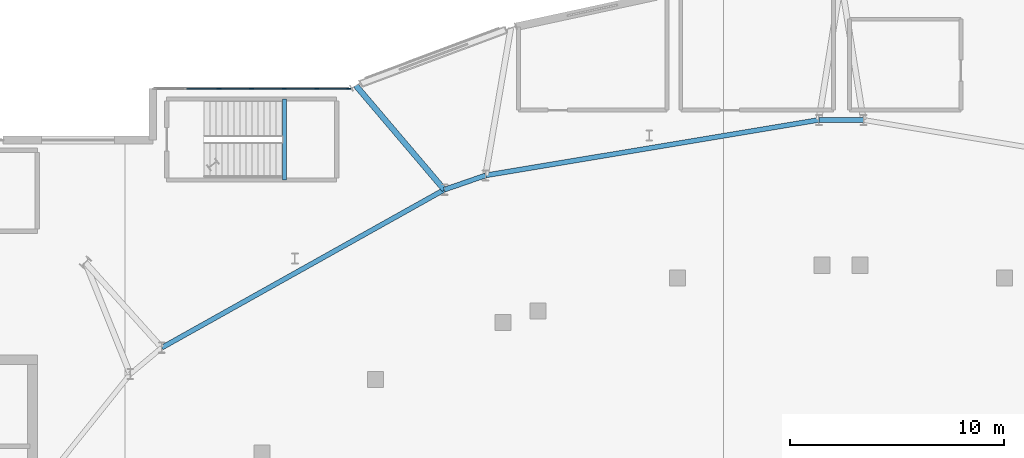
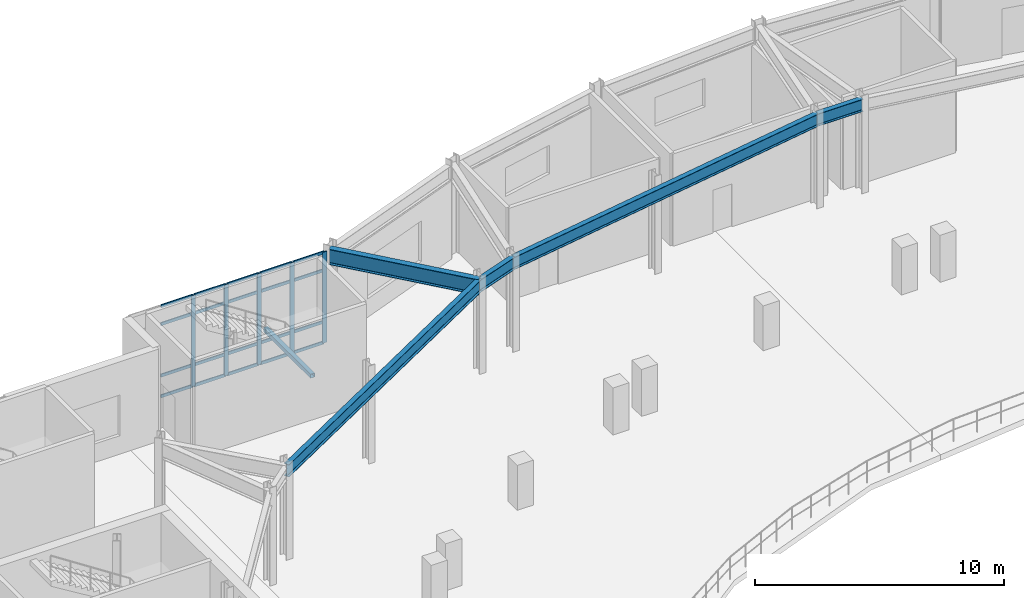
# One storey, part 43 of 84: 25 members, 6 beams, 1 element without a shape of its own.
"""IFC4 building model written with IfcOpenShell, lengths in metres."""

from ifc_helpers import new_model, si_unit, direction, frame, origin, origin_2d, place, context, subcontext, project, spatial, rectangle, hollow_rectangle, i_section, extrude, material, material_profile, profile_set, type_object, element, aggregate, save


model = new_model("IFC4")

# Units and contexts
model_context = context("Model", 3, precision=1e-05, world=origin(), true_north=direction((0.0, 1.0)))
body_context = subcontext(model_context, "Body", "Model", "MODEL_VIEW")
ifc_project = project(units=[si_unit("LENGTHUNIT", "METRE"), si_unit("AREAUNIT", "SQUARE_METRE"), si_unit("VOLUMEUNIT", "CUBIC_METRE"), si_unit("PLANEANGLEUNIT", "RADIAN"), si_unit("MASSUNIT", "GRAM", prefix="KILO")], contexts=[model_context])

# Site, building, storey
site_placement = place(None, origin())
site = spatial("IfcSite", under=ifc_project, at=site_placement, CompositionType="ELEMENT")
building_placement = place(site_placement, origin())
building = spatial("IfcBuilding", under=site, at=building_placement, Name="Glasvene Arena", CompositionType="ELEMENT")
storey_placement = place(building_placement, frame((0.0, 0.0, 10.199951171875)))
storey = spatial("IfcBuildingStorey", under=building, at=storey_placement, Name="L02", CompositionType="ELEMENT", Elevation=10.199951171875)

# Beams
ifc_material_1 = material(Name="Steel S355J2", Category="steel")
ifc_material_profile_1 = material_profile(ifc_material_1, i_section(OverallWidth=0.228271484375, OverallDepth=0.607666015625, WebThickness=0.010986328125, FlangeThickness=0.017333984375, FilletRadius=0.0126953125, at=origin_2d()), Name="UKB 610x229x113")
ifc_profile_set_1 = profile_set([ifc_material_profile_1], Name="Steel S355J2")
beam_type_1 = type_object("IfcBeamType", Name="BM-GIRD-610", PredefinedType="BEAM", material=ifc_profile_set_1)
beam_1_placement = place(storey_placement, frame((93.043701171875, 111.489990234375, 4.215087890625), z_axis=(-1.0, 0.0, 0.0), x_axis=(0.0, -1.0, 0.0)))
element("IfcBeam", 1, at=beam_1_placement, inside=storey, type_object=beam_type_1, Name="Concourse inner ring girder L02-08", PredefinedType="BEAM", context=body_context, shape_type="SweptSolid", body=[
    extrude(i_section(OverallWidth=0.228271484375, OverallDepth=0.607666015625, WebThickness=0.010986328125, FlangeThickness=0.017333984375, FilletRadius=0.0126953125, at=origin_2d()), origin(), (0.0, 0.0, 1.0), 2.08740234375),
])
beam_2_placement = place(storey_placement, frame((90.956298828125, 111.489990234375, 4.215087890625), z_axis=(-0.986425216298, -0.164211122194, 0.0), x_axis=(0.164211122194, -0.986425216298, 0.0)))
element("IfcBeam", 2, at=beam_2_placement, inside=storey, type_object=beam_type_1, Name="Concourse inner ring girder L02-09", PredefinedType="BEAM", context=body_context, shape_type="SweptSolid", body=[
    extrude(i_section(OverallWidth=0.228271484375, OverallDepth=0.607666015625, WebThickness=0.010986328125, FlangeThickness=0.017333984375, FilletRadius=0.0126953125, at=origin_2d()), origin(), (0.0, 0.0, 1.0), 15.8056640625),
])
beam_3_placement = place(storey_placement, frame((75.365234375, 108.89453125, 4.215087890625), z_axis=(-0.944798184006, -0.327652852114, 0.0), x_axis=(0.327652852114, -0.944798184006, 0.0)))
element("IfcBeam", 3, at=beam_3_placement, inside=storey, type_object=beam_type_1, Name="Concourse inner ring girder L02-10", PredefinedType="BEAM", context=body_context, shape_type="SweptSolid", body=[
    extrude(i_section(OverallWidth=0.228271484375, OverallDepth=0.607666015625, WebThickness=0.010986328125, FlangeThickness=0.017333984375, FilletRadius=0.0126953125, at=origin_2d()), origin(), (0.0, 0.0, 1.0), 2.040771484375),
])
beam_4_placement = place(storey_placement, frame((73.43701171875, 108.225830078125, 4.215087890625), z_axis=(-0.87279341778, -0.488089796943, 0.0), x_axis=(0.488089796943, -0.87279341778, 0.0)))
element("IfcBeam", 4, at=beam_4_placement, inside=storey, type_object=beam_type_1, Name="Concourse inner ring girder L02-11", PredefinedType="BEAM", context=body_context, shape_type="SweptSolid", body=[
    extrude(i_section(OverallWidth=0.228271484375, OverallDepth=0.607666015625, WebThickness=0.010986328125, FlangeThickness=0.017333984375, FilletRadius=0.0126953125, at=origin_2d()), origin(), (0.0, 0.0, 1.0), 15.14404296875),
])
ifc_material_profile_2 = material_profile(ifc_material_1, i_section(OverallWidth=0.2666015625, OverallDepth=0.76220703125, WebThickness=0.014404296875, FlangeThickness=0.021484375, FilletRadius=0.0166015625, at=origin_2d()), Name="UKB 762x267x173")
ifc_profile_set_2 = profile_set([ifc_material_profile_2], Name="Steel S355J2")
beam_type_2 = type_object("IfcBeamType", Name="BM-GIRD-762", PredefinedType="BEAM", material=ifc_profile_set_2)
beam_5_placement = place(storey_placement, frame((73.43701171875, 108.225830078125, 4.138916015625), z_axis=(-0.647421006623, 0.762132560768, 0.0), x_axis=(-0.762132560768, -0.647421006623, 0.0)))
element("IfcBeam", 5, at=beam_5_placement, inside=storey, type_object=beam_type_2, Name="Radial concourse girder L02-11", PredefinedType="BEAM", context=body_context, shape_type="SweptSolid", body=[
    extrude(i_section(OverallWidth=0.2666015625, OverallDepth=0.76220703125, WebThickness=0.014404296875, FlangeThickness=0.021484375, FilletRadius=0.0166015625, at=origin_2d()), origin(), (0.0, 0.0, 1.0), 6.38916015625),
])
ifc_material_profile_3 = material_profile(ifc_material_1, hollow_rectangle(XDim=0.199951171875, YDim=0.199951171875, WallThickness=0.010009765625, at=origin_2d()), Name="SHS 200x200x10.0")
ifc_profile_set_3 = profile_set([ifc_material_profile_3], Name="Steel S355J2")
beam_type_3 = type_object("IfcBeamType", Name="BM-LINTEL-200", PredefinedType="LINTEL", material=ifc_profile_set_3)
beam_6_placement = place(storey_placement, frame((65.9599609375, 108.679931640625, 2.080078125), z_axis=(0.0, 1.0, 0.0), x_axis=(-1.0, 0.0, 0.0)))
element("IfcBeam", 6, at=beam_6_placement, inside=storey, type_object=beam_type_3, Name="Stair half-landing support beam ST-10-L02", PredefinedType="LINTEL", context=body_context, shape_type="SweptSolid", body=[
    extrude(hollow_rectangle(XDim=0.199951171875, YDim=0.199951171875, WallThickness=0.010009765625, at=origin_2d()), origin(), (0.0, 0.0, 1.0), 3.7900390625),
])

# Curtain wall, members
ifc_material_2 = material(Name="Low-emissivity laminated double glazing", Category="glass")
curtain_wall_type = type_object("IfcCurtainWallType", Name="CW-FAC-L02-916x446", PredefinedType="USERDEFINED", material=ifc_material_2)
curtain_wall_placement = place(storey_placement, frame((59.840087890625, 112.949951171875, 0.0)))
curtain_wall = element("IfcCurtainWall", 7, at=curtain_wall_placement, inside=storey, type_object=curtain_wall_type, Name="Unitised curtain wall CW-F-L02-180-644-1130-19", ObjectType="CURTAIN WALL", PredefinedType="USERDEFINED")
ifc_material_3 = material(Name="Anodised architectural aluminium", Category="aluminium")
ifc_material_profile_4 = material_profile(ifc_material_3, rectangle(XDim=0.050048828125, YDim=0.199951171875, at=origin_2d()), Name="ALU MULLION 50x200")
ifc_profile_set_4 = profile_set([ifc_material_profile_4], Name="Anodised architectural aluminium")
member_type_1 = type_object("IfcMemberType", Name="CW-MUL-180", PredefinedType="MULLION", material=ifc_profile_set_4)
member_1_placement = place(storey_placement, frame((62.892333984375, 112.949951171875, 0.06005859375), z_axis=(0.0, 0.0, 1.0), x_axis=(0.0, 1.0, 0.0)))
member_1 = element("IfcMember", 8, at=member_1_placement, type_object=member_type_1, Name="CW-022 mullion 3", PredefinedType="MULLION", context=body_context, shape_type="SweptSolid", body=[
    extrude(rectangle(XDim=0.050048828125, YDim=0.199951171875, at=origin_2d()), origin(), (0.0, 0.0, 1.0), 4.4599609375),
])
member_2_placement = place(storey_placement, frame((64.41845703125, 112.949951171875, 0.06005859375), z_axis=(0.0, 0.0, 1.0), x_axis=(0.0, 1.0, 0.0)))
member_2 = element("IfcMember", 9, at=member_2_placement, type_object=member_type_1, Name="CW-022 mullion 4", PredefinedType="MULLION", context=body_context, shape_type="SweptSolid", body=[
    extrude(rectangle(XDim=0.050048828125, YDim=0.199951171875, at=origin_2d()), origin(), (0.0, 0.0, 1.0), 4.4599609375),
])
member_3_placement = place(storey_placement, frame((65.944580078125, 112.949951171875, 0.06005859375), z_axis=(0.0, 0.0, 1.0), x_axis=(0.0, 1.0, 0.0)))
member_3 = element("IfcMember", 10, at=member_3_placement, type_object=member_type_1, Name="CW-022 mullion 5", PredefinedType="MULLION", context=body_context, shape_type="SweptSolid", body=[
    extrude(rectangle(XDim=0.050048828125, YDim=0.199951171875, at=origin_2d()), origin(), (0.0, 0.0, 1.0), 4.4599609375),
])
member_4_placement = place(storey_placement, frame((67.470947265625, 112.949951171875, 0.06005859375), z_axis=(0.0, 0.0, 1.0), x_axis=(0.0, 1.0, 0.0)))
member_4 = element("IfcMember", 11, at=member_4_placement, type_object=member_type_1, Name="CW-022 mullion 6", PredefinedType="MULLION", context=body_context, shape_type="SweptSolid", body=[
    extrude(rectangle(XDim=0.050048828125, YDim=0.199951171875, at=origin_2d()), origin(), (0.0, 0.0, 1.0), 4.4599609375),
])
member_5_placement = place(storey_placement, frame((68.971923828125, 112.949951171875, 0.06005859375), z_axis=(0.0, 0.0, 1.0), x_axis=(0.0, 1.0, 0.0)))
member_5 = element("IfcMember", 12, at=member_5_placement, type_object=member_type_1, Name="CW-022 mullion 7", PredefinedType="MULLION", context=body_context, shape_type="SweptSolid", body=[
    extrude(rectangle(XDim=0.050048828125, YDim=0.199951171875, at=origin_2d()), origin(), (0.0, 0.0, 1.0), 4.4599609375),
])
ifc_material_profile_5 = material_profile(ifc_material_3, rectangle(XDim=0.050048828125, YDim=0.14990234375, at=origin_2d()), Name="ALU TRANSOM 50x150")
ifc_profile_set_5 = profile_set([ifc_material_profile_5], Name="Anodised architectural aluminium")
member_type_2 = type_object("IfcMemberType", Name="CW-TRN-150", PredefinedType="USERDEFINED", material=ifc_profile_set_5)
member_6_placement = place(storey_placement, frame((61.39111328125, 112.949951171875, 0.0849609375), z_axis=(1.0, 0.0, 0.0), x_axis=(0.0, 1.0, 0.0)))
member_6 = element("IfcMember", 13, at=member_6_placement, type_object=member_type_2, Name="CW-022 transom 2.1", ObjectType="TRANSOM", PredefinedType="USERDEFINED", context=body_context, shape_type="SweptSolid", body=[
    extrude(rectangle(XDim=0.050048828125, YDim=0.14990234375, at=origin_2d()), origin(), (0.0, 0.0, 1.0), 1.476318359375),
])
member_7_placement = place(storey_placement, frame((61.39111328125, 112.949951171875, 1.10009765625), z_axis=(1.0, 0.0, 0.0), x_axis=(0.0, 1.0, 0.0)))
member_7 = element("IfcMember", 14, at=member_7_placement, type_object=member_type_2, Name="CW-022 transom 2.2", ObjectType="TRANSOM", PredefinedType="USERDEFINED", context=body_context, shape_type="SweptSolid", body=[
    extrude(rectangle(XDim=0.050048828125, YDim=0.14990234375, at=origin_2d()), origin(), (0.0, 0.0, 1.0), 1.476318359375),
])
member_8_placement = place(storey_placement, frame((61.39111328125, 112.949951171875, 3.6201171875), z_axis=(1.0, 0.0, 0.0), x_axis=(0.0, 1.0, 0.0)))
member_8 = element("IfcMember", 15, at=member_8_placement, type_object=member_type_2, Name="CW-022 transom 2.3", ObjectType="TRANSOM", PredefinedType="USERDEFINED", context=body_context, shape_type="SweptSolid", body=[
    extrude(rectangle(XDim=0.050048828125, YDim=0.14990234375, at=origin_2d()), origin(), (0.0, 0.0, 1.0), 1.476318359375),
])
member_9_placement = place(storey_placement, frame((61.39111328125, 112.949951171875, 4.4951171875), z_axis=(1.0, 0.0, 0.0), x_axis=(0.0, 1.0, 0.0)))
member_9 = element("IfcMember", 16, at=member_9_placement, type_object=member_type_2, Name="CW-022 transom 2.4", ObjectType="TRANSOM", PredefinedType="USERDEFINED", context=body_context, shape_type="SweptSolid", body=[
    extrude(rectangle(XDim=0.050048828125, YDim=0.14990234375, at=origin_2d()), origin(), (0.0, 0.0, 1.0), 1.476318359375),
])
member_10_placement = place(storey_placement, frame((62.917236328125, 112.949951171875, 0.0849609375), z_axis=(1.0, 0.0, 0.0), x_axis=(0.0, 1.0, 0.0)))
member_10 = element("IfcMember", 17, at=member_10_placement, type_object=member_type_2, Name="CW-022 transom 3.1", ObjectType="TRANSOM", PredefinedType="USERDEFINED", context=body_context, shape_type="SweptSolid", body=[
    extrude(rectangle(XDim=0.050048828125, YDim=0.14990234375, at=origin_2d()), origin(), (0.0, 0.0, 1.0), 1.476318359375),
])
member_11_placement = place(storey_placement, frame((62.917236328125, 112.949951171875, 1.10009765625), z_axis=(1.0, 0.0, 0.0), x_axis=(0.0, 1.0, 0.0)))
member_11 = element("IfcMember", 18, at=member_11_placement, type_object=member_type_2, Name="CW-022 transom 3.2", ObjectType="TRANSOM", PredefinedType="USERDEFINED", context=body_context, shape_type="SweptSolid", body=[
    extrude(rectangle(XDim=0.050048828125, YDim=0.14990234375, at=origin_2d()), origin(), (0.0, 0.0, 1.0), 1.476318359375),
])
member_12_placement = place(storey_placement, frame((62.917236328125, 112.949951171875, 3.6201171875), z_axis=(1.0, 0.0, 0.0), x_axis=(0.0, 1.0, 0.0)))
member_12 = element("IfcMember", 19, at=member_12_placement, type_object=member_type_2, Name="CW-022 transom 3.3", ObjectType="TRANSOM", PredefinedType="USERDEFINED", context=body_context, shape_type="SweptSolid", body=[
    extrude(rectangle(XDim=0.050048828125, YDim=0.14990234375, at=origin_2d()), origin(), (0.0, 0.0, 1.0), 1.476318359375),
])
member_13_placement = place(storey_placement, frame((62.917236328125, 112.949951171875, 4.4951171875), z_axis=(1.0, 0.0, 0.0), x_axis=(0.0, 1.0, 0.0)))
member_13 = element("IfcMember", 20, at=member_13_placement, type_object=member_type_2, Name="CW-022 transom 3.4", ObjectType="TRANSOM", PredefinedType="USERDEFINED", context=body_context, shape_type="SweptSolid", body=[
    extrude(rectangle(XDim=0.050048828125, YDim=0.14990234375, at=origin_2d()), origin(), (0.0, 0.0, 1.0), 1.476318359375),
])
member_14_placement = place(storey_placement, frame((64.443603515625, 112.949951171875, 0.0849609375), z_axis=(1.0, 0.0, 0.0), x_axis=(0.0, 1.0, 0.0)))
member_14 = element("IfcMember", 21, at=member_14_placement, type_object=member_type_2, Name="CW-022 transom 4.1", ObjectType="TRANSOM", PredefinedType="USERDEFINED", context=body_context, shape_type="SweptSolid", body=[
    extrude(rectangle(XDim=0.050048828125, YDim=0.14990234375, at=origin_2d()), origin(), (0.0, 0.0, 1.0), 1.47607421875),
])
member_15_placement = place(storey_placement, frame((64.443603515625, 112.949951171875, 1.10009765625), z_axis=(1.0, 0.0, 0.0), x_axis=(0.0, 1.0, 0.0)))
member_15 = element("IfcMember", 22, at=member_15_placement, type_object=member_type_2, Name="CW-022 transom 4.2", ObjectType="TRANSOM", PredefinedType="USERDEFINED", context=body_context, shape_type="SweptSolid", body=[
    extrude(rectangle(XDim=0.050048828125, YDim=0.14990234375, at=origin_2d()), origin(), (0.0, 0.0, 1.0), 1.47607421875),
])
member_16_placement = place(storey_placement, frame((64.443603515625, 112.949951171875, 3.6201171875), z_axis=(1.0, 0.0, 0.0), x_axis=(0.0, 1.0, 0.0)))
member_16 = element("IfcMember", 23, at=member_16_placement, type_object=member_type_2, Name="CW-022 transom 4.3", ObjectType="TRANSOM", PredefinedType="USERDEFINED", context=body_context, shape_type="SweptSolid", body=[
    extrude(rectangle(XDim=0.050048828125, YDim=0.14990234375, at=origin_2d()), origin(), (0.0, 0.0, 1.0), 1.47607421875),
])
member_17_placement = place(storey_placement, frame((64.443603515625, 112.949951171875, 4.4951171875), z_axis=(1.0, 0.0, 0.0), x_axis=(0.0, 1.0, 0.0)))
member_17 = element("IfcMember", 24, at=member_17_placement, type_object=member_type_2, Name="CW-022 transom 4.4", ObjectType="TRANSOM", PredefinedType="USERDEFINED", context=body_context, shape_type="SweptSolid", body=[
    extrude(rectangle(XDim=0.050048828125, YDim=0.14990234375, at=origin_2d()), origin(), (0.0, 0.0, 1.0), 1.47607421875),
])
member_18_placement = place(storey_placement, frame((65.9697265625, 112.949951171875, 0.0849609375), z_axis=(1.0, 0.0, 0.0), x_axis=(0.0, 1.0, 0.0)))
member_18 = element("IfcMember", 25, at=member_18_placement, type_object=member_type_2, Name="CW-022 transom 5.1", ObjectType="TRANSOM", PredefinedType="USERDEFINED", context=body_context, shape_type="SweptSolid", body=[
    extrude(rectangle(XDim=0.050048828125, YDim=0.14990234375, at=origin_2d()), origin(), (0.0, 0.0, 1.0), 1.47607421875),
])
member_19_placement = place(storey_placement, frame((65.9697265625, 112.949951171875, 1.10009765625), z_axis=(1.0, 0.0, 0.0), x_axis=(0.0, 1.0, 0.0)))
member_19 = element("IfcMember", 26, at=member_19_placement, type_object=member_type_2, Name="CW-022 transom 5.2", ObjectType="TRANSOM", PredefinedType="USERDEFINED", context=body_context, shape_type="SweptSolid", body=[
    extrude(rectangle(XDim=0.050048828125, YDim=0.14990234375, at=origin_2d()), origin(), (0.0, 0.0, 1.0), 1.47607421875),
])
member_20_placement = place(storey_placement, frame((65.9697265625, 112.949951171875, 3.6201171875), z_axis=(1.0, 0.0, 0.0), x_axis=(0.0, 1.0, 0.0)))
member_20 = element("IfcMember", 27, at=member_20_placement, type_object=member_type_2, Name="CW-022 transom 5.3", ObjectType="TRANSOM", PredefinedType="USERDEFINED", context=body_context, shape_type="SweptSolid", body=[
    extrude(rectangle(XDim=0.050048828125, YDim=0.14990234375, at=origin_2d()), origin(), (0.0, 0.0, 1.0), 1.47607421875),
])
member_21_placement = place(storey_placement, frame((65.9697265625, 112.949951171875, 4.4951171875), z_axis=(1.0, 0.0, 0.0), x_axis=(0.0, 1.0, 0.0)))
member_21 = element("IfcMember", 28, at=member_21_placement, type_object=member_type_2, Name="CW-022 transom 5.4", ObjectType="TRANSOM", PredefinedType="USERDEFINED", context=body_context, shape_type="SweptSolid", body=[
    extrude(rectangle(XDim=0.050048828125, YDim=0.14990234375, at=origin_2d()), origin(), (0.0, 0.0, 1.0), 1.47607421875),
])
member_22_placement = place(storey_placement, frame((67.495849609375, 112.949951171875, 0.0849609375), z_axis=(1.0, 0.0, 0.0), x_axis=(0.0, 1.0, 0.0)))
member_22 = element("IfcMember", 29, at=member_22_placement, type_object=member_type_2, Name="CW-022 transom 6.1", ObjectType="TRANSOM", PredefinedType="USERDEFINED", context=body_context, shape_type="SweptSolid", body=[
    extrude(rectangle(XDim=0.050048828125, YDim=0.14990234375, at=origin_2d()), origin(), (0.0, 0.0, 1.0), 1.451171875),
])
member_23_placement = place(storey_placement, frame((67.495849609375, 112.949951171875, 1.10009765625), z_axis=(1.0, 0.0, 0.0), x_axis=(0.0, 1.0, 0.0)))
member_23 = element("IfcMember", 30, at=member_23_placement, type_object=member_type_2, Name="CW-022 transom 6.2", ObjectType="TRANSOM", PredefinedType="USERDEFINED", context=body_context, shape_type="SweptSolid", body=[
    extrude(rectangle(XDim=0.050048828125, YDim=0.14990234375, at=origin_2d()), origin(), (0.0, 0.0, 1.0), 1.451171875),
])
member_24_placement = place(storey_placement, frame((67.495849609375, 112.949951171875, 3.6201171875), z_axis=(1.0, 0.0, 0.0), x_axis=(0.0, 1.0, 0.0)))
member_24 = element("IfcMember", 31, at=member_24_placement, type_object=member_type_2, Name="CW-022 transom 6.3", ObjectType="TRANSOM", PredefinedType="USERDEFINED", context=body_context, shape_type="SweptSolid", body=[
    extrude(rectangle(XDim=0.050048828125, YDim=0.14990234375, at=origin_2d()), origin(), (0.0, 0.0, 1.0), 1.451171875),
])
member_25_placement = place(storey_placement, frame((67.495849609375, 112.949951171875, 4.4951171875), z_axis=(1.0, 0.0, 0.0), x_axis=(0.0, 1.0, 0.0)))
member_25 = element("IfcMember", 32, at=member_25_placement, type_object=member_type_2, Name="CW-022 transom 6.4", ObjectType="TRANSOM", PredefinedType="USERDEFINED", context=body_context, shape_type="SweptSolid", body=[
    extrude(rectangle(XDim=0.050048828125, YDim=0.14990234375, at=origin_2d()), origin(), (0.0, 0.0, 1.0), 1.451171875),
])
aggregate(curtain_wall, [member_1, member_2, member_3, member_4, member_5, member_6, member_7, member_8, member_9, member_10, member_11, member_12, member_13, member_14, member_15, member_16, member_17, member_18, member_19, member_20, member_21, member_22, member_23, member_24, member_25])

save(model, "model.ifc")
